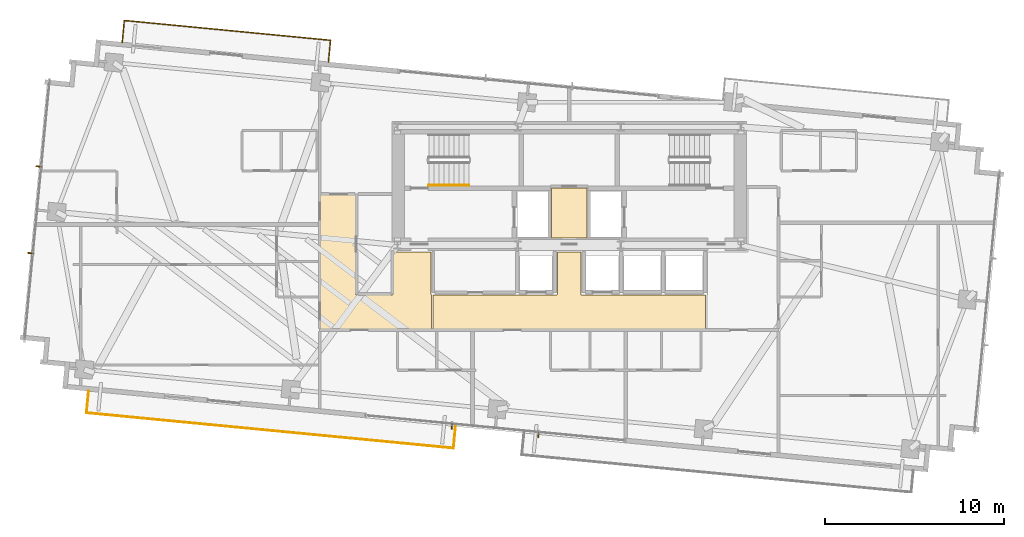
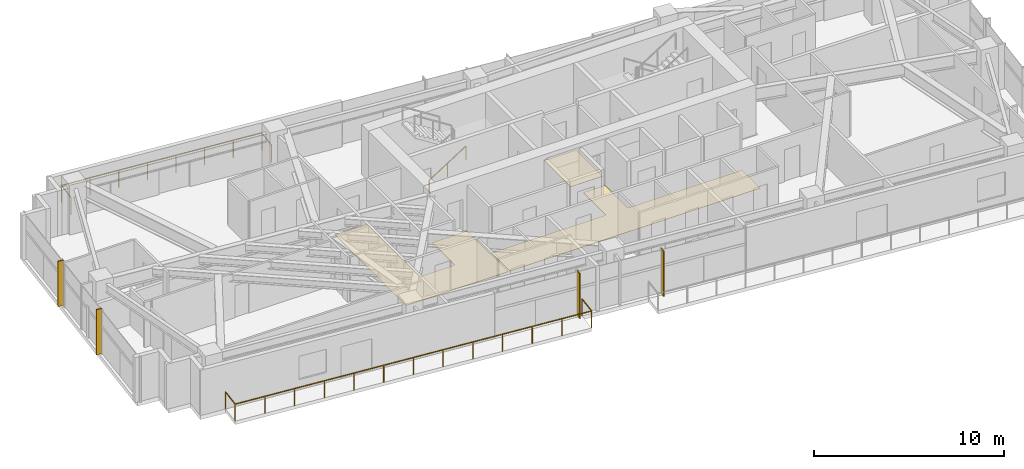
# One storey, part 19 of 20: 4 shading devices, 3 coverings, 3 railings.
"""IFC4 building model written with IfcOpenShell, lengths in metres."""

from ifc_helpers import new_model, si_unit, direction, frame, origin, origin_2d, place, context, subcontext, project, spatial, polyline, rectangle, outline, extrude, source, transform, mapped, material, layer, layer_set, type_object, type_shapes, element, save


model = new_model("IFC4")

# Units and contexts
model_context = context("Model", 3, precision=1e-05, world=origin(), true_north=direction((0.0, 1.0)))
body_context = subcontext(model_context, "Body", "Model", "MODEL_VIEW")
ifc_project = project(units=[si_unit("LENGTHUNIT", "METRE"), si_unit("AREAUNIT", "SQUARE_METRE"), si_unit("VOLUMEUNIT", "CUBIC_METRE"), si_unit("PLANEANGLEUNIT", "RADIAN"), si_unit("MASSUNIT", "GRAM", prefix="KILO")], contexts=[model_context])

# Site, building, storey
site_placement = place(None, origin())
site = spatial("IfcSite", under=ifc_project, at=site_placement, CompositionType="ELEMENT")
building_placement = place(site_placement, origin())
building = spatial("IfcBuilding", under=site, at=building_placement, Name="Astriad Promenade Condominiums", CompositionType="ELEMENT")
storey_placement = place(building_placement, frame((0.0, 0.0, 159.800048828125)))
storey = spatial("IfcBuildingStorey", under=building, at=storey_placement, Name="L46", CompositionType="ELEMENT", Elevation=159.800048828125)

# Coverings
ifc_material_1 = material(Name="Polished Lakefront Terrazzo Flooring")
ifc_layer = layer(ifc_material_1, 0.02001953125)
ifc_layer_set = layer_set([ifc_layer], Name="Polished Lakefront Terrazzo Flooring")
covering_type = type_object("IfcCoveringType", Name="COV-FLOR-TERRAZZO-20", PredefinedType="FLOORING", material=ifc_layer_set)
covering_1_placement = place(storey_placement, origin())
element("IfcCovering", 1, at=covering_1_placement, inside=storey, type_object=covering_type, Name="FLR-L46-CSL", PredefinedType="FLOORING", context=body_context, shape_type="SweptSolid", body=[
    extrude(outline(polyline([(36.97998046875, 17.7900390625), (35.02001953125, 17.7900390625), (35.02001953125, 20.580078125), (36.97998046875, 20.580078125), (36.97998046875, 17.7900390625)])), origin(), (0.0, 0.0, 1.0), 0.02001953125),
])
covering_2_placement = place(storey_placement, origin())
element("IfcCovering", 2, at=covering_2_placement, inside=storey, type_object=covering_type, Name="FLR-L46-LLB", PredefinedType="FLOORING", context=body_context, shape_type="SweptSolid", body=[
    extrude(outline(polyline([(32.9736328125, 14.6201171875), (32.974609375, 14.619140625), (32.977783203125, 14.61669921875), (32.981201171875, 14.61474609375), (32.984619140625, 14.613037109375), (32.98828125, 14.61181640625), (32.9921875, 14.61083984375), (32.99609375, 14.610107421875), (33.0, 14.610107421875), (35.300048828125, 14.610107421875), (35.303955078125, 14.610107421875), (35.307861328125, 14.61083984375), (35.3115234375, 14.61181640625), (35.315185546875, 14.613037109375), (35.31884765625, 14.61474609375), (35.322265625, 14.61669921875), (35.325439453125, 14.619140625), (35.328369140625, 14.62158203125), (35.330810546875, 14.62451171875), (35.333251953125, 14.627685546875), (35.335205078125, 14.631103515625), (35.3369140625, 14.634765625), (35.33837890625, 14.638427734375), (35.339111328125, 14.64208984375), (35.33984375, 14.64599609375), (35.340087890625, 14.64990234375), (35.340087890625, 17.010009765625), (36.659912109375, 17.010009765625), (36.659912109375, 14.64990234375), (36.66015625, 14.64599609375), (36.660888671875, 14.64208984375), (36.66162109375, 14.638427734375), (36.6630859375, 14.634765625), (36.664794921875, 14.631103515625), (36.666748046875, 14.627685546875), (36.669189453125, 14.62451171875), (36.671630859375, 14.62158203125), (36.674560546875, 14.619140625), (36.677734375, 14.61669921875), (36.68115234375, 14.61474609375), (36.684814453125, 14.613037109375), (36.6884765625, 14.61181640625), (36.692138671875, 14.61083984375), (36.696044921875, 14.610107421875), (36.699951171875, 14.610107421875), (43.610107421875, 14.610107421875), (43.610107421875, 12.68994140625), (28.389892578125, 12.68994140625), (28.389892578125, 14.6201171875), (32.9736328125, 14.6201171875)])), origin(), (0.0, 0.0, 1.0), 0.02001953125),
])
covering_3_placement = place(storey_placement, origin())
element("IfcCovering", 3, at=covering_3_placement, inside=storey, type_object=covering_type, Name="FLR-L46-COR-2", PredefinedType="FLOORING", context=body_context, shape_type="SweptSolid", body=[
    extrude(outline(polyline([(28.300048828125, 12.68994140625), (22.090087890625, 12.68994140625), (22.090087890625, 20.2099609375), (24.06005859375, 20.2099609375), (24.06005859375, 14.659912109375), (24.060302734375, 14.656005859375), (24.060791015625, 14.652099609375), (24.061767578125, 14.6484375), (24.06298828125, 14.644775390625), (24.064697265625, 14.64111328125), (24.066650390625, 14.6376953125), (24.069091796875, 14.634521484375), (24.07177734375, 14.631591796875), (24.07470703125, 14.629150390625), (24.077880859375, 14.626708984375), (24.0810546875, 14.624755859375), (24.084716796875, 14.623046875), (24.08837890625, 14.62158203125), (24.09228515625, 14.620849609375), (24.09619140625, 14.6201171875), (24.10009765625, 14.6201171875), (26.1201171875, 14.6201171875), (26.123779296875, 14.6201171875), (26.127685546875, 14.620849609375), (26.131591796875, 14.62158203125), (26.13525390625, 14.623046875), (26.138916015625, 14.624755859375), (26.14208984375, 14.626708984375), (26.1455078125, 14.629150390625), (26.148193359375, 14.631591796875), (26.15087890625, 14.634521484375), (26.1533203125, 14.6376953125), (26.1552734375, 14.64111328125), (26.156982421875, 14.644775390625), (26.158203125, 14.6484375), (26.1591796875, 14.652099609375), (26.159912109375, 14.656005859375), (26.159912109375, 14.659912109375), (26.159912109375, 17.010009765625), (28.280029296875, 17.010009765625), (28.280029296875, 14.659912109375), (28.2802734375, 14.656005859375), (28.28076171875, 14.652099609375), (28.28173828125, 14.6484375), (28.282958984375, 14.644775390625), (28.28466796875, 14.64111328125), (28.28662109375, 14.6376953125), (28.2890625, 14.634521484375), (28.291748046875, 14.631591796875), (28.294677734375, 14.629150390625), (28.2978515625, 14.626708984375), (28.300048828125, 14.62548828125), (28.300048828125, 12.68994140625)])), origin(), (0.0, 0.0, 1.0), 0.02001953125),
])

# Railings
ifc_material_2 = material(Name="Laminated Glass and Stainless Steel Balustrade", Category="steel")
railing_type_1 = type_object("IfcRailingType", Name="GRD-BALC-1120", PredefinedType="BALUSTRADE", material=ifc_material_2)
shared_shape_1 = source(origin(), body_context, "Body", "SweptSolid", [
    extrude(rectangle(XDim=0.048095703125, YDim=0.048095703125, at=origin_2d()), frame((0.0, 0.0, 1.09619140625), z_axis=(-0.095857307208, -0.99539508571, 0.0), x_axis=(0.99539508571, -0.095857307208, 0.0)), (0.0, 0.0, 1.0), 1.219970703125),
    extrude(rectangle(XDim=0.048095703125, YDim=0.048095703125, at=origin_2d()), frame((-0.116943359375, -1.21435546875, 1.09619140625), z_axis=(0.99539595375, -0.095848292931, 0.0), x_axis=(0.095848292931, 0.99539595375, 0.0)), (0.0, 0.0, 1.0), 20.609130859375),
    extrude(rectangle(XDim=0.048095703125, YDim=0.048095703125, at=origin_2d()), frame((20.397216796875, -3.189697265625, 1.09619140625), z_axis=(0.095857307208, 0.99539508571, 0.0), x_axis=(-0.99539508571, 0.095857307208, 0.0)), (0.0, 0.0, 1.0), 1.219970703125),
    extrude(rectangle(XDim=0.0419921875, YDim=0.0419921875, at=origin_2d()), origin(), (0.0, 0.0, 1.0), 1.072021484375),
    extrude(rectangle(XDim=0.0419921875, YDim=0.0419921875, at=origin_2d()), frame((-0.116943359375, -1.21435546875, 0.0)), (0.0, 0.0, 1.0), 1.072021484375),
    extrude(rectangle(XDim=0.0419921875, YDim=0.0419921875, at=origin_2d()), frame((1.592529296875, -1.37890625, 0.0)), (0.0, 0.0, 1.0), 1.072021484375),
    extrude(rectangle(XDim=0.0419921875, YDim=0.0419921875, at=origin_2d()), frame((3.302001953125, -1.54345703125, 0.0)), (0.0, 0.0, 1.0), 1.072021484375),
    extrude(rectangle(XDim=0.0419921875, YDim=0.0419921875, at=origin_2d()), frame((5.01171875, -1.708251953125, 0.0)), (0.0, 0.0, 1.0), 1.072021484375),
    extrude(rectangle(XDim=0.0419921875, YDim=0.0419921875, at=origin_2d()), frame((6.72119140625, -1.872802734375, 0.0)), (0.0, 0.0, 1.0), 1.072021484375),
    extrude(rectangle(XDim=0.0419921875, YDim=0.0419921875, at=origin_2d()), frame((8.4306640625, -2.037353515625, 0.0)), (0.0, 0.0, 1.0), 1.072021484375),
    extrude(rectangle(XDim=0.0419921875, YDim=0.0419921875, at=origin_2d()), frame((10.14013671875, -2.2021484375, 0.0)), (0.0, 0.0, 1.0), 1.072021484375),
    extrude(rectangle(XDim=0.0419921875, YDim=0.0419921875, at=origin_2d()), frame((11.849609375, -2.36669921875, 0.0)), (0.0, 0.0, 1.0), 1.072021484375),
    extrude(rectangle(XDim=0.0419921875, YDim=0.0419921875, at=origin_2d()), frame((13.55908203125, -2.53125, 0.0)), (0.0, 0.0, 1.0), 1.072021484375),
    extrude(rectangle(XDim=0.0419921875, YDim=0.0419921875, at=origin_2d()), frame((15.2685546875, -2.69580078125, 0.0)), (0.0, 0.0, 1.0), 1.072021484375),
    extrude(rectangle(XDim=0.0419921875, YDim=0.0419921875, at=origin_2d()), frame((16.978271484375, -2.8603515625, 0.0)), (0.0, 0.0, 1.0), 1.072021484375),
    extrude(rectangle(XDim=0.0419921875, YDim=0.0419921875, at=origin_2d()), frame((18.687744140625, -3.025146484375, 0.0)), (0.0, 0.0, 1.0), 1.072021484375),
    extrude(rectangle(XDim=0.0419921875, YDim=0.0419921875, at=origin_2d()), frame((20.397216796875, -3.189697265625, 0.0)), (0.0, 0.0, 1.0), 1.072021484375),
    extrude(rectangle(XDim=0.0419921875, YDim=0.0419921875, at=origin_2d()), frame((20.51416015625, -1.975341796875, 0.0)), (0.0, 0.0, 1.0), 1.072021484375),
])
railing_1_placement = place(storey_placement, frame((9.1298828125, 9.23388671875, 0.0)))
element("IfcRailing", 4, at=railing_1_placement, inside=storey, type_object=railing_type_1, Name="GRD-BALC-L46-SW", PredefinedType="BALUSTRADE", context=body_context, shape_type="MappedRepresentation", body=[
    mapped(shared_shape_1, transform((0.0, 0.0, 0.0), scale=1.0)),
])
shared_shape_2 = source(origin(), body_context, "Body", "SweptSolid", [
    extrude(rectangle(XDim=0.048095703125, YDim=0.048095703125, at=origin_2d()), frame((0.0, 0.0, 1.09619140625), z_axis=(0.095857307208, 0.99539508571, 0.0), x_axis=(-0.99539508571, 0.095857307208, 0.0)), (0.0, 0.0, 1.0), 1.219970703125),
    extrude(rectangle(XDim=0.048095703125, YDim=0.048095703125, at=origin_2d()), frame((0.116943359375, 1.21435546875, 1.09619140625), z_axis=(-0.995395003651, 0.095858159316, 0.0), x_axis=(-0.095858159316, -0.995395003651, 0.0)), (0.0, 0.0, 1.0), 11.5859375),
    extrude(rectangle(XDim=0.048095703125, YDim=0.048095703125, at=origin_2d()), frame((-11.41552734375, 2.324951171875, 1.09619140625), z_axis=(-0.096055582315, -0.995375971734, 0.0), x_axis=(0.995375971734, -0.096055582315, 0.0)), (0.0, 0.0, 1.0), 1.219970703125),
    extrude(rectangle(XDim=0.0419921875, YDim=0.0419921875, at=origin_2d()), origin(), (0.0, 0.0, 1.0), 1.072021484375),
    extrude(rectangle(XDim=0.0419921875, YDim=0.0419921875, at=origin_2d()), frame((0.116943359375, 1.21435546875, 0.0)), (0.0, 0.0, 1.0), 1.072021484375),
    extrude(rectangle(XDim=0.0419921875, YDim=0.0419921875, at=origin_2d()), frame((-1.530517578125, 1.373046875, 0.0)), (0.0, 0.0, 1.0), 1.072021484375),
    extrude(rectangle(XDim=0.0419921875, YDim=0.0419921875, at=origin_2d()), frame((-3.177978515625, 1.53173828125, 0.0)), (0.0, 0.0, 1.0), 1.072021484375),
    extrude(rectangle(XDim=0.0419921875, YDim=0.0419921875, at=origin_2d()), frame((-4.825439453125, 1.6904296875, 0.0)), (0.0, 0.0, 1.0), 1.072021484375),
    extrude(rectangle(XDim=0.0419921875, YDim=0.0419921875, at=origin_2d()), frame((-6.47314453125, 1.848876953125, 0.0)), (0.0, 0.0, 1.0), 1.072021484375),
    extrude(rectangle(XDim=0.0419921875, YDim=0.0419921875, at=origin_2d()), frame((-8.12060546875, 2.007568359375, 0.0)), (0.0, 0.0, 1.0), 1.072021484375),
    extrude(rectangle(XDim=0.0419921875, YDim=0.0419921875, at=origin_2d()), frame((-9.76806640625, 2.166259765625, 0.0)), (0.0, 0.0, 1.0), 1.072021484375),
    extrude(rectangle(XDim=0.0419921875, YDim=0.0419921875, at=origin_2d()), frame((-11.41552734375, 2.324951171875, 0.0)), (0.0, 0.0, 1.0), 1.072021484375),
    extrude(rectangle(XDim=0.0419921875, YDim=0.0419921875, at=origin_2d()), frame((-11.53271484375, 1.110595703125, 0.0)), (0.0, 0.0, 1.0), 1.072021484375),
])
type_shapes(railing_type_1, [shared_shape_1, shared_shape_2])
railing_2_placement = place(storey_placement, frame((22.541015625, 27.633056640625, 0.0)))
element("IfcRailing", 5, at=railing_2_placement, inside=storey, type_object=railing_type_1, Name="GRD-BALC-L46-NW", PredefinedType="BALUSTRADE", context=body_context, shape_type="MappedRepresentation", body=[
    mapped(shared_shape_2, transform((0.0, 0.0, 0.0), scale=1.0)),
])

# Shading devices
ifc_material_3 = material(Name="Anodised aluminium 6063-T6 Black Fin", Category="aluminium")
shading_device_type = type_object("IfcShadingDeviceType", Name="FIN-BLACK-260", PredefinedType="USERDEFINED", material=ifc_material_3)
shared_shape_3 = source(origin(), body_context, "Body", "SweptSolid", [
    extrude(rectangle(XDim=0.06494140625, YDim=0.320068359375, at=origin_2d()), origin(), (0.0, 0.0, 1.0), 2.89990234375),
])
type_shapes(shading_device_type, [shared_shape_3])
for number, where, z_axis, x_axis, name in (
    (6, (5.880126953125, 16.947509765625, 0.0), (0.0, 0.0, 1.0), (0.09584575252, 0.995396198367, 0.0), "CW-L46-W-FIN-01"),
    (7, (6.3466796875, 21.791748046875, 0.0), (0.0, 0.0, 1.0), (0.09584575252, 0.995396198367, 0.0), "CW-L46-W-FIN-02"),
    (8, (34.278564453125, 6.80224609375, 0.0), (0.0, 0.0, 1.0), (-0.995396198367, 0.09584575252, 0.0), "CW-L46-S-FIN-01"),
    (9, (29.44091796875, 7.26806640625, 0.0), (0.0, 0.0, 1.0), (-0.995396198367, 0.09584575252, 0.0), "CW-L46-S-FIN-02"),
):
    element("IfcShadingDevice", number, at=place(storey_placement, frame(where, z_axis=z_axis, x_axis=x_axis)), inside=storey, type_object=shading_device_type, Name=name, ObjectType="FIN", PredefinedType="USERDEFINED", context=body_context, shape_type="MappedRepresentation", body=[
        mapped(shared_shape_3, transform((0.0, 0.0, 0.0), scale=1.0)),
    ])

# Railing
ifc_material_4 = material(Name="Brushed Stainless Steel Handrail", Category="steel")
railing_type_2 = type_object("IfcRailingType", Name="HRL-STAIR-920", PredefinedType="HANDRAIL", material=ifc_material_4)
shared_shape_4 = source(origin(), body_context, "Body", "SweptSolid", [
    extrude(rectangle(XDim=0.048095703125, YDim=0.048095703125, at=origin_2d()), frame((0.0, 0.0, 0.8759765625), z_axis=(0.8442293374, 0.0, 0.53598211339), x_axis=(0.0, 1.0, 0.0)), (0.0, 0.0, 1.0), 2.6533203125),
    extrude(rectangle(XDim=0.0419921875, YDim=0.0419921875, at=origin_2d()), origin(), (0.0, 0.0, 1.0), 0.851806640625),
    extrude(rectangle(XDim=0.0419921875, YDim=0.0419921875, at=origin_2d()), frame((1.1201171875, 0.0, 0.7109375)), (0.0, 0.0, 1.0), 0.851806640625),
    extrude(rectangle(XDim=0.0419921875, YDim=0.0419921875, at=origin_2d()), frame((2.239990234375, 0.0, 1.422119140625)), (0.0, 0.0, 1.0), 0.851806640625),
])
type_shapes(railing_type_2, [shared_shape_4])
railing_3_placement = place(storey_placement, frame((28.14990234375, 20.75, 0.177734375)))
element("IfcRailing", 10, at=railing_3_placement, inside=storey, type_object=railing_type_2, Name="L46 ST-1 stair handrail 1", PredefinedType="HANDRAIL", context=body_context, shape_type="MappedRepresentation", body=[
    mapped(shared_shape_4, transform((0.0, 0.0, 0.0), scale=1.0)),
])

save(model, "model.ifc")
